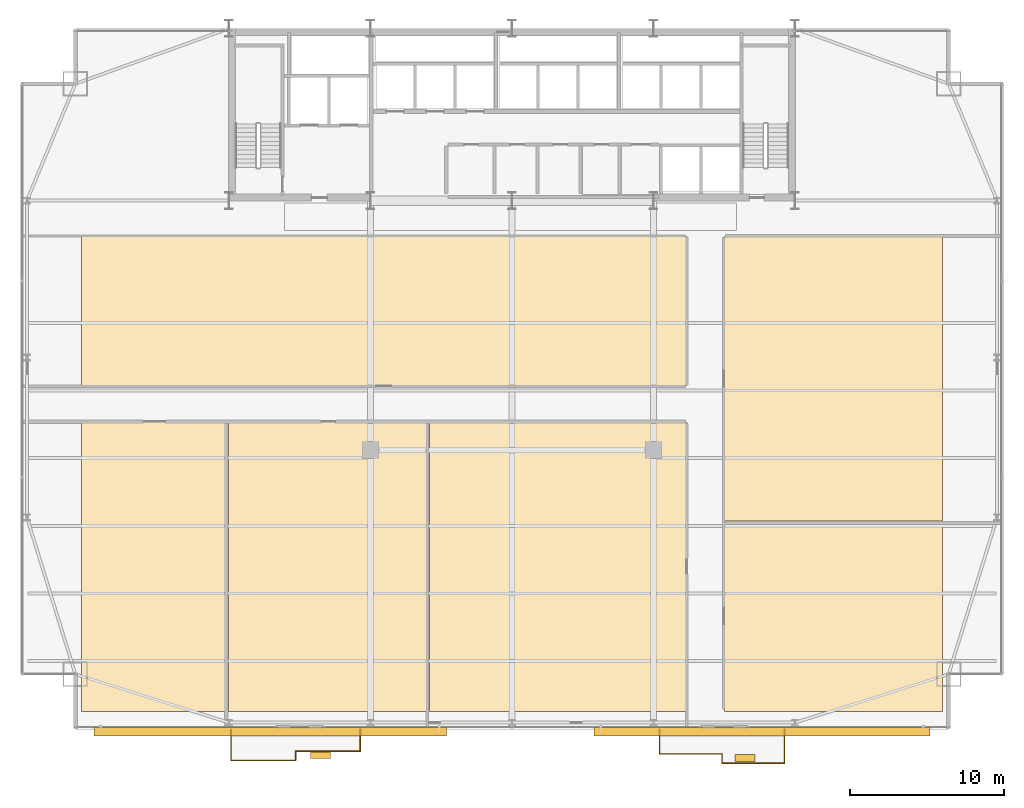
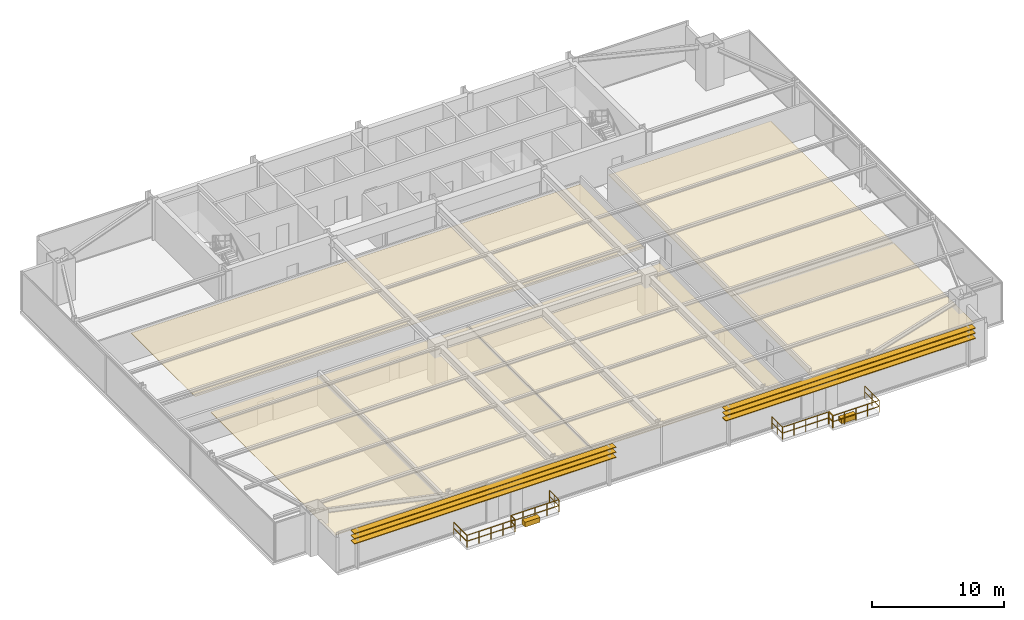
# One storey, part 30 of 31: 10 railings, 8 coverings, 6 shading devices.
"""IFC4 building model written with IfcOpenShell, lengths in metres."""

from ifc_helpers import new_model, si_unit, direction, frame, origin, origin_2d, place, context, subcontext, project, spatial, polyline, rectangle, outline, extrude, source, transform, mapped, material, layer, layer_set, type_object, type_shapes, element, save


model = new_model("IFC4")

# Units and contexts
model_context = context("Model", 3, precision=1e-05, world=origin(), true_north=direction((0.0, 1.0)))
body_context = subcontext(model_context, "Body", "Model", "MODEL_VIEW")
ifc_project = project(units=[si_unit("LENGTHUNIT", "METRE"), si_unit("AREAUNIT", "SQUARE_METRE"), si_unit("VOLUMEUNIT", "CUBIC_METRE"), si_unit("PLANEANGLEUNIT", "RADIAN"), si_unit("MASSUNIT", "GRAM", prefix="KILO")], contexts=[model_context])

# Site, building, storey
site_placement = place(None, origin())
site = spatial("IfcSite", under=ifc_project, at=site_placement, CompositionType="ELEMENT")
building_placement = place(site_placement, origin())
building = spatial("IfcBuilding", under=site, at=building_placement, Name="Varnel Quay Broadcast Tower", CompositionType="ELEMENT")
storey_placement = place(building_placement, frame((0.0, 0.0, 51.0)))
storey = spatial("IfcBuildingStorey", under=building, at=storey_placement, Name="L11", CompositionType="ELEMENT", Elevation=51.0)

# Coverings
ifc_material_1 = material(Name="Micro-Perforated Acoustic Ceiling Tile")
ifc_layer_1 = layer(ifc_material_1, 0.0400390625, Name="Micro-Perforated Acoustic Ceiling Tile")
ifc_layer_set_1 = layer_set([ifc_layer_1], Name="Micro-Perforated Acoustic Ceiling Tile")
covering_type_1 = type_object("IfcCoveringType", Name="Cov_AcousticCeiling", PredefinedType="CEILING", material=ifc_layer_set_1)
covering_1_placement = place(storey_placement, frame((0.0, 0.0, 2.580078125)))
element("IfcCovering", 1, at=covering_1_placement, inside=storey, type_object=covering_type_1, Name="L11 Journalism Training Studio 1 Acoustic Ceiling", PredefinedType="CEILING", context=body_context, shape_type="SweptSolid", body=[
    extrude(outline(polyline([(5.985107421875, 2.375), (15.485107421875, 2.375), (15.485107421875, 21.195068359375), (5.985107421875, 21.195068359375), (5.985107421875, 2.375)])), origin(), (0.0, 0.0, 1.0), 0.0400390625),
])
covering_2_placement = place(storey_placement, frame((0.0, 0.0, 2.580078125)))
element("IfcCovering", 2, at=covering_2_placement, inside=storey, type_object=covering_type_1, Name="L11 Catering Kitchen 2 Acoustic Ceiling", PredefinedType="CEILING", context=body_context, shape_type="SweptSolid", body=[
    extrude(outline(polyline([(15.554931640625, 2.375), (28.554931640625, 2.375), (28.554931640625, 21.195068359375), (15.554931640625, 21.195068359375), (15.554931640625, 2.375)])), origin(), (0.0, 0.0, 1.0), 0.0400390625),
])
covering_3_placement = place(storey_placement, frame((0.0, 0.0, 2.580078125)))
element("IfcCovering", 3, at=covering_3_placement, inside=storey, type_object=covering_type_1, Name="L11 Bureau Office 3 Acoustic Ceiling", PredefinedType="CEILING", context=body_context, shape_type="SweptSolid", body=[
    extrude(outline(polyline([(28.625, 2.375), (45.3349609375, 2.375), (45.3349609375, 21.195068359375), (28.625, 21.195068359375), (28.625, 2.375)])), origin(), (0.0, 0.0, 1.0), 0.0400390625),
])
covering_4_placement = place(storey_placement, frame((0.0, 0.0, 2.580078125)))
element("IfcCovering", 4, at=covering_4_placement, inside=storey, type_object=covering_type_1, Name="L11 Reading Lounge 4 Acoustic Ceiling", PredefinedType="CEILING", context=body_context, shape_type="SweptSolid", body=[
    extrude(outline(polyline([(5.985107421875, 23.56494140625), (45.3349609375, 23.56494140625), (45.3349609375, 33.264892578125), (5.985107421875, 33.264892578125), (5.985107421875, 23.56494140625)])), origin(), (0.0, 0.0, 1.0), 0.0400390625),
])
covering_5_placement = place(storey_placement, frame((0.0, 0.0, 2.580078125)))
element("IfcCovering", 5, at=covering_5_placement, inside=storey, type_object=covering_type_1, Name="L11 Broadcast Seminar Room 5 Acoustic Ceiling", PredefinedType="CEILING", context=body_context, shape_type="SweptSolid", body=[
    extrude(outline(polyline([(47.804931640625, 2.375), (62.014892578125, 2.375), (62.014892578125, 14.695068359375), (47.804931640625, 14.695068359375), (47.804931640625, 2.375)])), origin(), (0.0, 0.0, 1.0), 0.0400390625),
])
covering_6_placement = place(storey_placement, frame((0.0, 0.0, 2.580078125)))
element("IfcCovering", 6, at=covering_6_placement, inside=storey, type_object=covering_type_1, Name="L11 Press Briefing Room 6 Acoustic Ceiling", PredefinedType="CEILING", context=body_context, shape_type="SweptSolid", body=[
    extrude(outline(polyline([(47.804931640625, 14.764892578125), (62.014892578125, 14.764892578125), (62.014892578125, 33.264892578125), (47.804931640625, 33.264892578125), (47.804931640625, 14.764892578125)])), origin(), (0.0, 0.0, 1.0), 0.0400390625),
])

# Railings
ifc_material_2 = material(Name="Anodised Bronze Aluminium 6063-T6", Category="aluminium")
railing_type = type_object("IfcRailingType", Name="Rail_Balustrade1150", PredefinedType="BALUSTRADE", material=ifc_material_2)
railing_1_placement = place(storey_placement, frame((15.72998046875, -0.81005859375, 0.0)))
element("IfcRailing", 7, at=railing_1_placement, inside=storey, type_object=railing_type, Name="L11 Terrace 1 Guard 1", PredefinedType="BALUSTRADE", context=body_context, shape_type="SweptSolid", body=[
    extrude(rectangle(XDim=0.048095703125, YDim=0.048095703125, at=origin_2d()), frame((0.0, 0.0, 1.1259765625), z_axis=(1.0, 0.0, 0.0), x_axis=(0.0, 1.0, 0.0)), (0.0, 0.0, 1.0), 4.199951171875),
    extrude(rectangle(XDim=0.048095703125, YDim=0.048095703125, at=origin_2d()), frame((0.0, 0.0, 0.574951171875), z_axis=(1.0, 0.0, 0.0), x_axis=(0.0, 1.0, 0.0)), (0.0, 0.0, 1.0), 4.199951171875),
    extrude(rectangle(XDim=0.0419921875, YDim=0.0419921875, at=origin_2d()), origin(), (0.0, 0.0, 1.0), 1.101806640625),
    extrude(rectangle(XDim=0.0419921875, YDim=0.0419921875, at=origin_2d()), frame((1.050048828125, 0.0, 0.0)), (0.0, 0.0, 1.0), 1.101806640625),
    extrude(rectangle(XDim=0.0419921875, YDim=0.0419921875, at=origin_2d()), frame((2.10009765625, 0.0, 0.0)), (0.0, 0.0, 1.0), 1.101806640625),
    extrude(rectangle(XDim=0.0419921875, YDim=0.0419921875, at=origin_2d()), frame((3.14990234375, 0.0, 0.0)), (0.0, 0.0, 1.0), 1.101806640625),
    extrude(rectangle(XDim=0.0419921875, YDim=0.0419921875, at=origin_2d()), frame((4.199951171875, 0.0, 0.0)), (0.0, 0.0, 1.0), 1.101806640625),
])
railing_2_placement = place(storey_placement, frame((19.929931640625, -0.81005859375, 0.0)))
element("IfcRailing", 8, at=railing_2_placement, inside=storey, type_object=railing_type, Name="L11 Terrace 1 Guard 2", PredefinedType="BALUSTRADE", context=body_context, shape_type="SweptSolid", body=[
    extrude(rectangle(XDim=0.048095703125, YDim=0.048095703125, at=origin_2d()), frame((0.0, 0.0, 1.1259765625), z_axis=(0.0, 1.0, 0.0), x_axis=(-1.0, 0.0, 0.0)), (0.0, 0.0, 1.0), 0.60009765625),
    extrude(rectangle(XDim=0.048095703125, YDim=0.048095703125, at=origin_2d()), frame((0.0, 0.0, 0.574951171875), z_axis=(0.0, 1.0, 0.0), x_axis=(-1.0, 0.0, 0.0)), (0.0, 0.0, 1.0), 0.60009765625),
    extrude(rectangle(XDim=0.0419921875, YDim=0.0419921875, at=origin_2d()), origin(), (0.0, 0.0, 1.0), 1.101806640625),
    extrude(rectangle(XDim=0.0419921875, YDim=0.0419921875, at=origin_2d()), frame((0.0, 0.60009765625, 0.0)), (0.0, 0.0, 1.0), 1.101806640625),
])
railing_3_placement = place(storey_placement, frame((19.929931640625, -0.2099609375, 0.0)))
element("IfcRailing", 9, at=railing_3_placement, inside=storey, type_object=railing_type, Name="L11 Terrace 1 Guard 3", PredefinedType="BALUSTRADE", context=body_context, shape_type="SweptSolid", body=[
    extrude(rectangle(XDim=0.048095703125, YDim=0.048095703125, at=origin_2d()), frame((0.0, 0.0, 1.1259765625), z_axis=(1.0, 0.0, 0.0), x_axis=(0.0, 1.0, 0.0)), (0.0, 0.0, 1.0), 4.199951171875),
    extrude(rectangle(XDim=0.048095703125, YDim=0.048095703125, at=origin_2d()), frame((0.0, 0.0, 0.574951171875), z_axis=(1.0, 0.0, 0.0), x_axis=(0.0, 1.0, 0.0)), (0.0, 0.0, 1.0), 4.199951171875),
    extrude(rectangle(XDim=0.0419921875, YDim=0.0419921875, at=origin_2d()), origin(), (0.0, 0.0, 1.0), 1.101806640625),
    extrude(rectangle(XDim=0.0419921875, YDim=0.0419921875, at=origin_2d()), frame((1.050048828125, 0.0, 0.0)), (0.0, 0.0, 1.0), 1.101806640625),
    extrude(rectangle(XDim=0.0419921875, YDim=0.0419921875, at=origin_2d()), frame((2.10009765625, 0.0, 0.0)), (0.0, 0.0, 1.0), 1.101806640625),
    extrude(rectangle(XDim=0.0419921875, YDim=0.0419921875, at=origin_2d()), frame((3.14990234375, 0.0, 0.0)), (0.0, 0.0, 1.0), 1.101806640625),
    extrude(rectangle(XDim=0.0419921875, YDim=0.0419921875, at=origin_2d()), frame((4.199951171875, 0.0, 0.0)), (0.0, 0.0, 1.0), 1.101806640625),
])
railing_4_placement = place(storey_placement, frame((24.1298828125, -0.2099609375, 0.0)))
element("IfcRailing", 10, at=railing_4_placement, inside=storey, type_object=railing_type, Name="L11 Terrace 1 Guard 4", PredefinedType="BALUSTRADE", context=body_context, shape_type="SweptSolid", body=[
    extrude(rectangle(XDim=0.048095703125, YDim=0.048095703125, at=origin_2d()), frame((0.0, 0.0, 1.1259765625), z_axis=(0.0, 1.0, 0.0), x_axis=(-1.0, 0.0, 0.0)), (0.0, 0.0, 1.0), 1.409912109375),
    extrude(rectangle(XDim=0.048095703125, YDim=0.048095703125, at=origin_2d()), frame((0.0, 0.0, 0.574951171875), z_axis=(0.0, 1.0, 0.0), x_axis=(-1.0, 0.0, 0.0)), (0.0, 0.0, 1.0), 1.409912109375),
    extrude(rectangle(XDim=0.0419921875, YDim=0.0419921875, at=origin_2d()), origin(), (0.0, 0.0, 1.0), 1.101806640625),
    extrude(rectangle(XDim=0.0419921875, YDim=0.0419921875, at=origin_2d()), frame((0.0, 0.705078125, 0.0)), (0.0, 0.0, 1.0), 1.101806640625),
    extrude(rectangle(XDim=0.0419921875, YDim=0.0419921875, at=origin_2d()), frame((0.0, 1.409912109375, 0.0)), (0.0, 0.0, 1.0), 1.101806640625),
])
railing_5_placement = place(storey_placement, frame((15.72998046875, 1.199951171875, 0.0)))
element("IfcRailing", 11, at=railing_5_placement, inside=storey, type_object=railing_type, Name="L11 Terrace 1 Guard 6", PredefinedType="BALUSTRADE", context=body_context, shape_type="SweptSolid", body=[
    extrude(rectangle(XDim=0.048095703125, YDim=0.048095703125, at=origin_2d()), frame((0.0, 0.0, 1.1259765625), z_axis=(0.0, -1.0, 0.0), x_axis=(1.0, 0.0, 0.0)), (0.0, 0.0, 1.0), 2.010009765625),
    extrude(rectangle(XDim=0.048095703125, YDim=0.048095703125, at=origin_2d()), frame((0.0, 0.0, 0.574951171875), z_axis=(0.0, -1.0, 0.0), x_axis=(1.0, 0.0, 0.0)), (0.0, 0.0, 1.0), 2.010009765625),
    extrude(rectangle(XDim=0.0419921875, YDim=0.0419921875, at=origin_2d()), origin(), (0.0, 0.0, 1.0), 1.101806640625),
    extrude(rectangle(XDim=0.0419921875, YDim=0.0419921875, at=origin_2d()), frame((0.0, -1.0048828125, 0.0)), (0.0, 0.0, 1.0), 1.101806640625),
    extrude(rectangle(XDim=0.0419921875, YDim=0.0419921875, at=origin_2d()), frame((0.0, -2.010009765625, 0.0)), (0.0, 0.0, 1.0), 1.101806640625),
])
railing_6_placement = place(storey_placement, frame((43.60009765625, -0.389892578125, 0.0)))
element("IfcRailing", 12, at=railing_6_placement, inside=storey, type_object=railing_type, Name="L11 Terrace 2 Guard 1", PredefinedType="BALUSTRADE", context=body_context, shape_type="SweptSolid", body=[
    extrude(rectangle(XDim=0.048095703125, YDim=0.048095703125, at=origin_2d()), frame((0.0, 0.0, 1.1259765625), z_axis=(1.0, 0.0, 0.0), x_axis=(0.0, 1.0, 0.0)), (0.0, 0.0, 1.0), 4.06494140625),
    extrude(rectangle(XDim=0.048095703125, YDim=0.048095703125, at=origin_2d()), frame((0.0, 0.0, 0.574951171875), z_axis=(1.0, 0.0, 0.0), x_axis=(0.0, 1.0, 0.0)), (0.0, 0.0, 1.0), 4.06494140625),
    extrude(rectangle(XDim=0.0419921875, YDim=0.0419921875, at=origin_2d()), origin(), (0.0, 0.0, 1.0), 1.101806640625),
    extrude(rectangle(XDim=0.0419921875, YDim=0.0419921875, at=origin_2d()), frame((1.01611328125, 0.0, 0.0)), (0.0, 0.0, 1.0), 1.101806640625),
    extrude(rectangle(XDim=0.0419921875, YDim=0.0419921875, at=origin_2d()), frame((2.032470703125, 0.0, 0.0)), (0.0, 0.0, 1.0), 1.101806640625),
    extrude(rectangle(XDim=0.0419921875, YDim=0.0419921875, at=origin_2d()), frame((3.048828125, 0.0, 0.0)), (0.0, 0.0, 1.0), 1.101806640625),
    extrude(rectangle(XDim=0.0419921875, YDim=0.0419921875, at=origin_2d()), frame((4.06494140625, 0.0, 0.0)), (0.0, 0.0, 1.0), 1.101806640625),
])
railing_7_placement = place(storey_placement, frame((47.6650390625, -0.389892578125, 0.0)))
element("IfcRailing", 13, at=railing_7_placement, inside=storey, type_object=railing_type, Name="L11 Terrace 2 Guard 2", PredefinedType="BALUSTRADE", context=body_context, shape_type="SweptSolid", body=[
    extrude(rectangle(XDim=0.048095703125, YDim=0.048095703125, at=origin_2d()), frame((0.0, 0.0, 1.1259765625), z_axis=(0.0, -1.0, 0.0), x_axis=(1.0, 0.0, 0.0)), (0.0, 0.0, 1.0), 0.60009765625),
    extrude(rectangle(XDim=0.048095703125, YDim=0.048095703125, at=origin_2d()), frame((0.0, 0.0, 0.574951171875), z_axis=(0.0, -1.0, 0.0), x_axis=(1.0, 0.0, 0.0)), (0.0, 0.0, 1.0), 0.60009765625),
    extrude(rectangle(XDim=0.0419921875, YDim=0.0419921875, at=origin_2d()), origin(), (0.0, 0.0, 1.0), 1.101806640625),
    extrude(rectangle(XDim=0.0419921875, YDim=0.0419921875, at=origin_2d()), frame((0.0, -0.60009765625, 0.0)), (0.0, 0.0, 1.0), 1.101806640625),
])
railing_8_placement = place(storey_placement, frame((47.6650390625, -0.989990234375, 0.0)))
element("IfcRailing", 14, at=railing_8_placement, inside=storey, type_object=railing_type, Name="L11 Terrace 2 Guard 3", PredefinedType="BALUSTRADE", context=body_context, shape_type="SweptSolid", body=[
    extrude(rectangle(XDim=0.048095703125, YDim=0.048095703125, at=origin_2d()), frame((0.0, 0.0, 1.1259765625), z_axis=(1.0, 0.0, 0.0), x_axis=(0.0, 1.0, 0.0)), (0.0, 0.0, 1.0), 4.06494140625),
    extrude(rectangle(XDim=0.048095703125, YDim=0.048095703125, at=origin_2d()), frame((0.0, 0.0, 0.574951171875), z_axis=(1.0, 0.0, 0.0), x_axis=(0.0, 1.0, 0.0)), (0.0, 0.0, 1.0), 4.06494140625),
    extrude(rectangle(XDim=0.0419921875, YDim=0.0419921875, at=origin_2d()), origin(), (0.0, 0.0, 1.0), 1.101806640625),
    extrude(rectangle(XDim=0.0419921875, YDim=0.0419921875, at=origin_2d()), frame((1.01611328125, 0.0, 0.0)), (0.0, 0.0, 1.0), 1.101806640625),
    extrude(rectangle(XDim=0.0419921875, YDim=0.0419921875, at=origin_2d()), frame((2.032470703125, 0.0, 0.0)), (0.0, 0.0, 1.0), 1.101806640625),
    extrude(rectangle(XDim=0.0419921875, YDim=0.0419921875, at=origin_2d()), frame((3.048828125, 0.0, 0.0)), (0.0, 0.0, 1.0), 1.101806640625),
    extrude(rectangle(XDim=0.0419921875, YDim=0.0419921875, at=origin_2d()), frame((4.06494140625, 0.0, 0.0)), (0.0, 0.0, 1.0), 1.101806640625),
])
railing_9_placement = place(storey_placement, frame((51.72998046875, -0.989990234375, 0.0)))
element("IfcRailing", 15, at=railing_9_placement, inside=storey, type_object=railing_type, Name="L11 Terrace 2 Guard 4", PredefinedType="BALUSTRADE", context=body_context, shape_type="SweptSolid", body=[
    extrude(rectangle(XDim=0.048095703125, YDim=0.048095703125, at=origin_2d()), frame((0.0, 0.0, 1.1259765625), z_axis=(0.0, 1.0, 0.0), x_axis=(-1.0, 0.0, 0.0)), (0.0, 0.0, 1.0), 2.18994140625),
    extrude(rectangle(XDim=0.048095703125, YDim=0.048095703125, at=origin_2d()), frame((0.0, 0.0, 0.574951171875), z_axis=(0.0, 1.0, 0.0), x_axis=(-1.0, 0.0, 0.0)), (0.0, 0.0, 1.0), 2.18994140625),
    extrude(rectangle(XDim=0.0419921875, YDim=0.0419921875, at=origin_2d()), origin(), (0.0, 0.0, 1.0), 1.101806640625),
    extrude(rectangle(XDim=0.0419921875, YDim=0.0419921875, at=origin_2d()), frame((0.0, 1.094970703125, 0.0)), (0.0, 0.0, 1.0), 1.101806640625),
    extrude(rectangle(XDim=0.0419921875, YDim=0.0419921875, at=origin_2d()), frame((0.0, 2.18994140625, 0.0)), (0.0, 0.0, 1.0), 1.101806640625),
])
railing_10_placement = place(storey_placement, frame((43.60009765625, 1.199951171875, 0.0)))
element("IfcRailing", 16, at=railing_10_placement, inside=storey, type_object=railing_type, Name="L11 Terrace 2 Guard 6", PredefinedType="BALUSTRADE", context=body_context, shape_type="SweptSolid", body=[
    extrude(rectangle(XDim=0.048095703125, YDim=0.048095703125, at=origin_2d()), frame((0.0, 0.0, 1.1259765625), z_axis=(0.0, -1.0, 0.0), x_axis=(1.0, 0.0, 0.0)), (0.0, 0.0, 1.0), 1.58984375),
    extrude(rectangle(XDim=0.048095703125, YDim=0.048095703125, at=origin_2d()), frame((0.0, 0.0, 0.574951171875), z_axis=(0.0, -1.0, 0.0), x_axis=(1.0, 0.0, 0.0)), (0.0, 0.0, 1.0), 1.58984375),
    extrude(rectangle(XDim=0.0419921875, YDim=0.0419921875, at=origin_2d()), origin(), (0.0, 0.0, 1.0), 1.101806640625),
    extrude(rectangle(XDim=0.0419921875, YDim=0.0419921875, at=origin_2d()), frame((0.0, -0.794921875, 0.0)), (0.0, 0.0, 1.0), 1.101806640625),
    extrude(rectangle(XDim=0.0419921875, YDim=0.0419921875, at=origin_2d()), frame((0.0, -1.58984375, 0.0)), (0.0, 0.0, 1.0), 1.101806640625),
])

# Coverings
ifc_material_3 = material(Name="Bronze-Terracotta Extruded Ceramic Blade", Category="masonry")
ifc_layer_2 = layer(ifc_material_3, 0.449951171875, Name="Bronze-Terracotta Extruded Ceramic Blade")
ifc_layer_set_2 = layer_set([ifc_layer_2], Name="Bronze-Terracotta Extruded Ceramic Blade")
covering_type_2 = type_object("IfcCoveringType", Name="Cov_BronzePlanter", PredefinedType="CLADDING", material=ifc_layer_set_2)
shared_shape_1 = source(origin(), body_context, "Body", "SweptSolid", [
    extrude(rectangle(XDim=1.300048828125, YDim=0.449951171875, at=origin_2d()), origin(), (0.0, 0.0, 1.0), 0.449951171875),
])
type_shapes(covering_type_2, [shared_shape_1])
for number, where, z_axis, x_axis, name in (
    (17, (21.550048828125, -0.4599609375, 0.0), (0.0, 0.0, 1.0), (1.0, 0.0, 0.0), "L11 Terrace 1 Bronze Planter"),
    (18, (49.14990234375, -0.639892578125, 0.0), (0.0, 0.0, 1.0), (1.0, 0.0, 0.0), "L11 Terrace 2 Bronze Planter"),
):
    element("IfcCovering", number, at=place(storey_placement, frame(where, z_axis=z_axis, x_axis=x_axis)), inside=storey, type_object=covering_type_2, Name=name, PredefinedType="CLADDING", context=body_context, shape_type="MappedRepresentation", body=[
        mapped(shared_shape_1, transform((0.0, 0.0, 0.0), x_axis=(1.0, 0.0, 0.0), y_axis=(0.0, 1.0, 0.0), z_axis=(0.0, 0.0, 1.0), scale=1.0)),
    ])

# Shading devices
ifc_layer_3 = layer(ifc_material_3, 0.06494140625, Name="Bronze-Terracotta Extruded Ceramic Blade")
ifc_layer_set_3 = layer_set([ifc_layer_3], Name="Bronze-Terracotta Extruded Ceramic Blade")
shading_device_type = type_object("IfcShadingDeviceType", Name="Shade_LouvreBlade550", PredefinedType="JALOUSIE", material=ifc_layer_set_3)
shared_shape_2 = source(origin(), body_context, "Body", "SweptSolid", [
    extrude(rectangle(XDim=22.928955078125, YDim=0.550048828125, at=origin_2d()), origin(), (0.0, 0.0, 1.0), 0.06494140625),
])
for number, where, z_axis, x_axis, name in (
    (19, (18.263916015625, 1.06005859375, 2.447509765625), (0.0, 0.0, 1.0), (1.0, 0.0, 0.0), "L11 Lobe 1 Horizontal Louvre Blade 1"),
    (20, (18.263916015625, 1.06005859375, 2.927490234375), (0.0, 0.0, 1.0), (1.0, 0.0, 0.0), "L11 Lobe 1 Horizontal Louvre Blade 2"),
    (21, (18.263916015625, 1.06005859375, 3.387451171875), (0.0, 0.0, 1.0), (1.0, 0.0, 0.0), "L11 Lobe 1 Horizontal Louvre Blade 3"),
):
    element("IfcShadingDevice", number, at=place(storey_placement, frame(where, z_axis=z_axis, x_axis=x_axis)), inside=storey, type_object=shading_device_type, Name=name, PredefinedType="JALOUSIE", context=body_context, shape_type="MappedRepresentation", body=[
        mapped(shared_shape_2, transform((0.0, 0.0, 0.0), x_axis=(1.0, 0.0, 0.0), y_axis=(0.0, 1.0, 0.0), z_axis=(0.0, 0.0, 1.0), scale=1.0)),
    ])
shared_shape_3 = source(origin(), body_context, "Body", "SweptSolid", [
    extrude(rectangle(XDim=21.87109375, YDim=0.550048828125, at=origin_2d()), origin(), (0.0, 0.0, 1.0), 0.06494140625),
])
type_shapes(shading_device_type, [shared_shape_2, shared_shape_3])
for number, where, z_axis, x_axis, name in (
    (22, (50.263916015625, 1.06005859375, 2.447509765625), (0.0, 0.0, 1.0), (1.0, 0.0, 0.0), "L11 Lobe 2 Horizontal Louvre Blade 1"),
    (23, (50.263916015625, 1.06005859375, 2.927490234375), (0.0, 0.0, 1.0), (1.0, 0.0, 0.0), "L11 Lobe 2 Horizontal Louvre Blade 2"),
    (24, (50.263916015625, 1.06005859375, 3.387451171875), (0.0, 0.0, 1.0), (1.0, 0.0, 0.0), "L11 Lobe 2 Horizontal Louvre Blade 3"),
):
    element("IfcShadingDevice", number, at=place(storey_placement, frame(where, z_axis=z_axis, x_axis=x_axis)), inside=storey, type_object=shading_device_type, Name=name, PredefinedType="JALOUSIE", context=body_context, shape_type="MappedRepresentation", body=[
        mapped(shared_shape_3, transform((0.0, 0.0, 0.0), x_axis=(1.0, 0.0, 0.0), y_axis=(0.0, 1.0, 0.0), z_axis=(0.0, 0.0, 1.0), scale=1.0)),
    ])

save(model, "model.ifc")
